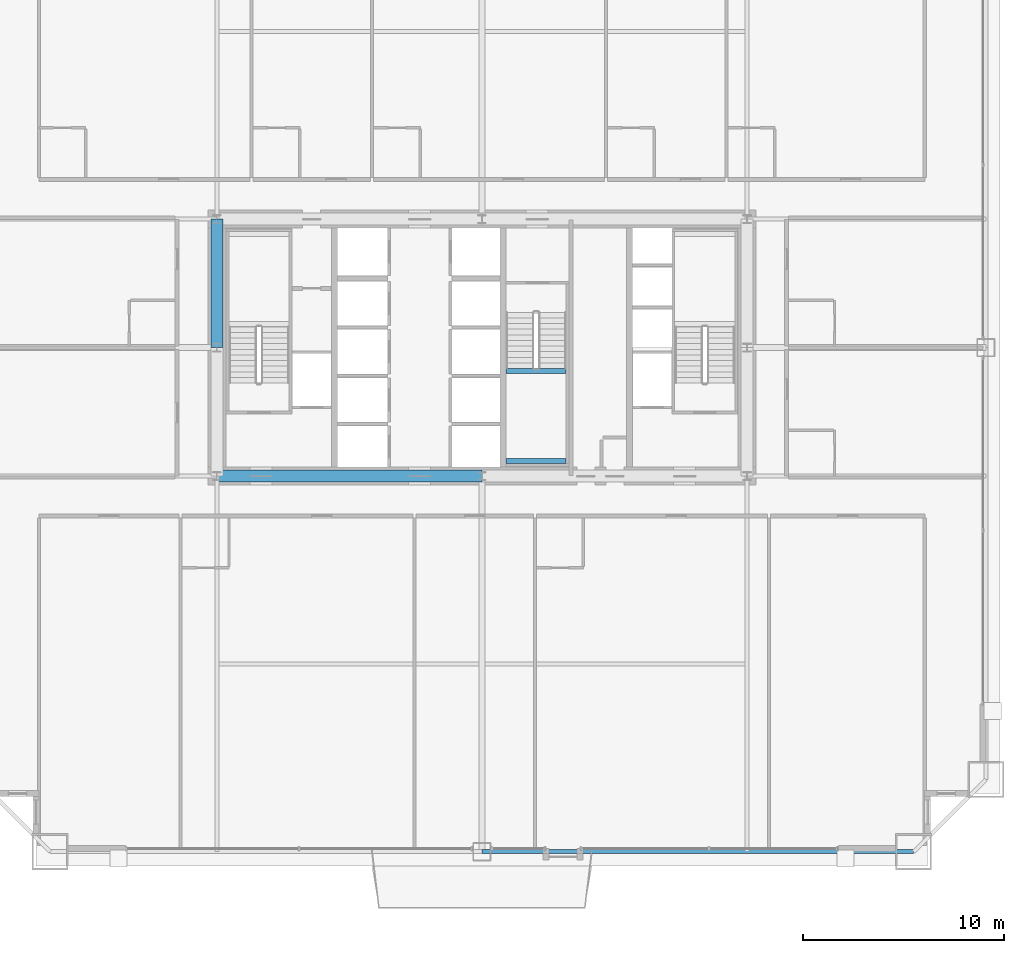
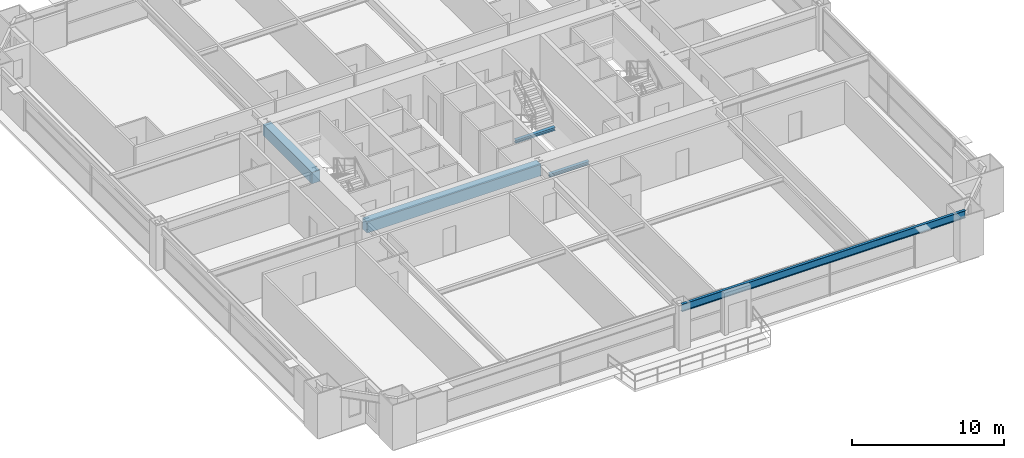
# One storey, part 14 of 43: 5 beams.
"""IFC4 building model written with IfcOpenShell, lengths in metres."""

from ifc_helpers import new_model, si_unit, direction, frame, origin, origin_2d, place, context, subcontext, project, spatial, rectangle, i_section, extrude, source, transform, mapped, material, material_profile, profile_set, type_object, element, save


model = new_model("IFC4")

# Units and contexts
model_context = context("Model", 3, precision=1e-05, world=origin(), true_north=direction((0.0, 1.0)))
body_context = subcontext(model_context, "Body", "Model", "MODEL_VIEW")
ifc_project = project(units=[si_unit("LENGTHUNIT", "METRE"), si_unit("AREAUNIT", "SQUARE_METRE"), si_unit("VOLUMEUNIT", "CUBIC_METRE"), si_unit("PLANEANGLEUNIT", "RADIAN"), si_unit("MASSUNIT", "GRAM", prefix="KILO"), si_unit("THERMODYNAMICTEMPERATUREUNIT", "KELVIN"), si_unit("POWERUNIT", "WATT")], contexts=[model_context])

# Site, building, storey
site_placement = place(None, origin())
site = spatial("IfcSite", under=ifc_project, at=site_placement, CompositionType="ELEMENT")
building_placement = place(site_placement, origin())
building = spatial("IfcBuilding", under=site, at=building_placement, Name="Yuzanri Waterfront Tower", CompositionType="ELEMENT")
storey_placement = place(building_placement, frame((0.0, 0.0, 78.39990234375)))
storey = spatial("IfcBuildingStorey", under=building, at=storey_placement, Name="L20", CompositionType="ELEMENT", Elevation=78.39990234375)

# Beams
ifc_material_1 = material(Name="Concrete C60", Category="concrete")
ifc_material_profile_1 = material_profile(ifc_material_1, rectangle(XDim=0.60009765625, YDim=0.89990234375, at=origin_2d()), Name="RC 600x900")
ifc_profile_set_1 = profile_set([ifc_material_profile_1], Name="Concrete C60")
beam_type_1 = type_object("IfcBeamType", Name="Core Coupling Lintel Concrete C60 600x900", PredefinedType="LINTEL", material=ifc_profile_set_1)
shared_shape_1 = source(origin(), body_context, "Body", "SweptSolid", [
    extrude(rectangle(XDim=0.60009765625, YDim=0.89990234375, at=origin_2d()), origin(), (0.0, 0.0, 1.0), 13.199951171875),
])
beam_1_placement = place(storey_placement, frame((23.800048828125, 19.39990234375, 2.93017578125), z_axis=(1.0, 0.0, 0.0), x_axis=(0.0, 1.0, 0.0)))
element("IfcBeam", 1, at=beam_1_placement, inside=storey, type_object=beam_type_1, Name="L20 Core Tie Beam CS1", PredefinedType="LINTEL", context=body_context, shape_type="MappedRepresentation", body=[
    mapped(shared_shape_1, transform((0.0, 0.0, 0.0), scale=1.0)),
])
shared_shape_2 = source(origin(), body_context, "Body", "SweptSolid", [
    extrude(rectangle(XDim=0.60009765625, YDim=0.89990234375, at=origin_2d()), origin(), (0.0, 0.0, 1.0), 6.39990234375),
])
beam_2_placement = place(storey_placement, frame((23.800048828125, 25.800048828125, 2.93017578125), z_axis=(0.0, 1.0, 0.0), x_axis=(-1.0, 0.0, 0.0)))
element("IfcBeam", 2, at=beam_2_placement, inside=storey, type_object=beam_type_1, Name="L20 Core Tie Beam CW2", PredefinedType="LINTEL", context=body_context, shape_type="MappedRepresentation", body=[
    mapped(shared_shape_2, transform((0.0, 0.0, 0.0), scale=1.0)),
])
ifc_material_2 = material(Name="Steel Q355B", Category="steel")
ifc_material_profile_2 = material_profile(ifc_material_2, i_section(OverallWidth=0.199951171875, OverallDepth=0.60009765625, WebThickness=0.010986328125, FlangeThickness=0.01708984375, at=origin_2d()), Name="HN 600x200x11x17")
ifc_profile_set_2 = profile_set([ifc_material_profile_2], Name="Steel Q355B")
beam_type_2 = type_object("IfcBeamType", Name="Perimeter Spandrel Q355B HN 600x200", PredefinedType="SPANDREL", material=ifc_profile_set_2)
shared_shape_3 = source(origin(), body_context, "Body", "SweptSolid", [
    extrude(i_section(OverallWidth=0.199951171875, OverallDepth=0.60009765625, WebThickness=0.010986328125, FlangeThickness=0.01708984375, at=origin_2d()), origin(), (0.0, 0.0, 1.0), 21.5),
])
beam_3_placement = place(storey_placement, frame((37.0, 0.699951171875, 3.080078125), z_axis=(1.0, 0.0, 0.0), x_axis=(0.0, 1.0, 0.0)))
element("IfcBeam", 3, at=beam_3_placement, inside=storey, type_object=beam_type_2, Name="L20 Perimeter Spandrel S2-S3", PredefinedType="SPANDREL", context=body_context, shape_type="MappedRepresentation", body=[
    mapped(shared_shape_3, transform((0.0, 0.0, 0.0), scale=1.0)),
])
ifc_material_3 = material(Name="Steel Q355B", Category="steel")
ifc_material_profile_3 = material_profile(ifc_material_3, i_section(OverallWidth=0.25, OverallDepth=0.25, WebThickness=0.009033203125, FlangeThickness=0.013916015625, at=origin_2d()), Name="HW 250x250x9x14")
ifc_profile_set_3 = profile_set([ifc_material_profile_3], Name="Steel Q355B")
beam_type_3 = type_object("IfcBeamType", Name="Stair Landing Support Beam Q355B HW 250x250", PredefinedType="BEAM", material=ifc_profile_set_3)
shared_shape_4 = source(origin(), body_context, "Body", "SweptSolid", [
    extrude(i_section(OverallWidth=0.25, OverallDepth=0.25, WebThickness=0.009033203125, FlangeThickness=0.013916015625, at=origin_2d()), origin(), (0.0, 0.0, 1.0), 3.0),
])
for number, where, z_axis, x_axis, name in (
    (4, (38.199951171875, 20.14990234375, 1.47509765625), (1.0, 0.0, 0.0), (0.0, 1.0, 0.0), "L20 Stair Landing Support Beam ST-03-L20-L1-1"),
    (5, (38.199951171875, 24.6298828125, 1.47509765625), (1.0, 0.0, 0.0), (0.0, 1.0, 0.0), "L20 Stair Landing Support Beam ST-03-L20-L1-2"),
):
    element("IfcBeam", number, at=place(storey_placement, frame(where, z_axis=z_axis, x_axis=x_axis)), inside=storey, type_object=beam_type_3, Name=name, PredefinedType="BEAM", context=body_context, shape_type="MappedRepresentation", body=[
        mapped(shared_shape_4, transform((0.0, 0.0, 0.0), scale=1.0)),
    ])

save(model, "model.ifc")
